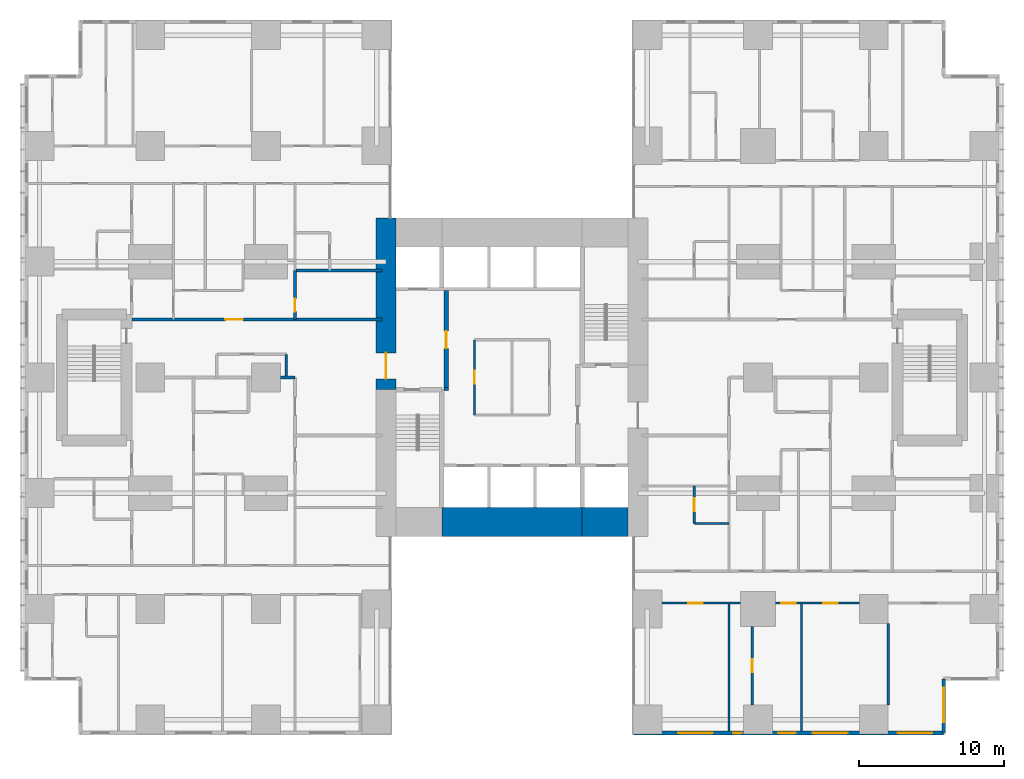
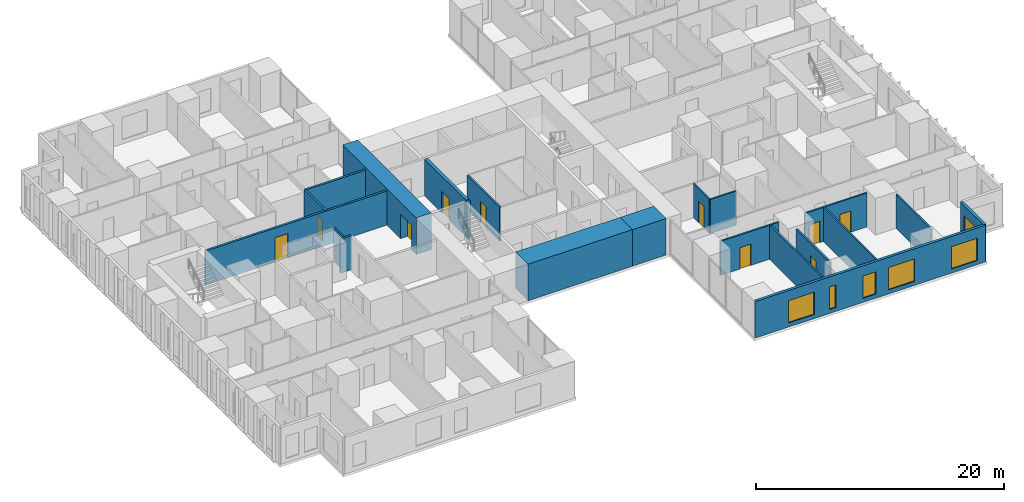
# One storey, part 14 of 20: 21 walls, 10 doors, 6 windows, 16 openings.
"""IFC4 building model written with IfcOpenShell, lengths in metres."""

from ifc_helpers import new_model, si_unit, direction, frame, frame_2d, origin, place, context, subcontext, project, spatial, rectangle, extrude, material, layer, layer_set, type_object, element, fill, save


model = new_model("IFC4")

# Units and contexts
model_context = context("Model", 3, precision=1e-05, world=origin(), true_north=direction((0.0, 1.0)))
body_context = subcontext(model_context, "Body", "Model", "MODEL_VIEW")
ifc_project = project(units=[si_unit("LENGTHUNIT", "METRE"), si_unit("AREAUNIT", "SQUARE_METRE"), si_unit("VOLUMEUNIT", "CUBIC_METRE"), si_unit("PLANEANGLEUNIT", "RADIAN"), si_unit("MASSUNIT", "GRAM", prefix="KILO")], contexts=[model_context])

# Site, building, storey
site_placement = place(None, origin())
site = spatial("IfcSite", under=ifc_project, at=site_placement, CompositionType="ELEMENT")
building_placement = place(site_placement, origin())
building = spatial("IfcBuilding", under=site, at=building_placement, Name="Cleftline Residences", CompositionType="ELEMENT")
storey_placement = place(building_placement, frame((0.0, 0.0, 143.0)))
storey = spatial("IfcBuildingStorey", under=building, at=storey_placement, Name="L37", CompositionType="ELEMENT", Elevation=143.0)

# Wall, opening, door
ifc_material_1 = material(Name="Concrete B70", Category="concrete")
ifc_layer_1 = layer(ifc_material_1, 1.39990234375)
ifc_layer_set_1 = layer_set([ifc_layer_1], Name="CORE WALL 1400")
wall_type_1 = type_object("IfcWallType", Name="CORE WALL 1400", PredefinedType="SHEAR", material=ifc_layer_set_1)
wall_1_placement = place(storey_placement, frame((24.300048828125, 23.14990234375, 0.0), z_axis=(0.0, 0.0, 1.0), x_axis=(0.0, 1.0, 0.0)))
wall_1 = element("IfcWall", 1, at=wall_1_placement, inside=storey, type_object=wall_type_1, Name="Core wall W", PredefinedType="SHEAR", context=body_context, shape_type="SweptSolid", body=[
    extrude(rectangle(XDim=11.85009765625, YDim=1.39990234375, at=frame_2d((5.925048828125, 0.0))), origin(), (0.0, 0.0, 1.0), 3.60009765625),
])
opening_1_placement = place(wall_1_placement, frame((0.75, 0.0, 0.0)))
opening_1 = element("IfcOpeningElement", 2, at=opening_1_placement, cuts=wall_1, Name="Opening D7", PredefinedType="OPENING", context=body_context, shape_type="SweptSolid", body=[
    extrude(rectangle(XDim=1.800048828125, YDim=2.39990234375, at=frame_2d((0.89990234375, 1.199951171875))), frame((0.0, 0.7099609375, 0.0), z_axis=(0.0, -1.0, 0.0), x_axis=(1.0, 0.0, 0.0)), (0.0, 0.0, 1.0), 1.419921875),
])
ifc_material_2 = material(Name="Steel", Category="steel")
door_type_1 = type_object("IfcDoorType", Name="WING DOOR 1800X2400", OperationType="DOUBLE_DOOR_DOUBLE_SWING", PredefinedType="DOOR", material=ifc_material_2)
door_1_placement = place(opening_1_placement, origin())
door_1 = element("IfcDoor", 3, at=door_1_placement, inside=storey, type_object=door_type_1, Name="West wing door", OperationType="DOUBLE_DOOR_DOUBLE_SWING", OverallHeight=2.39990234375, OverallWidth=1.800048828125, PredefinedType="DOOR", context=body_context, shape_type="SweptSolid", body=[
    extrude(rectangle(XDim=1.800048828125, YDim=2.39990234375, at=frame_2d((0.89990234375, 1.199951171875))), frame((0.0, 0.02490234375, 0.0), z_axis=(0.0, -1.0, 0.0), x_axis=(1.0, 0.0, 0.0)), (0.0, 0.0, 1.0), 0.050048828125),
])
fill(opening_1, door_1)

# Walls
ifc_material_3 = material(Name="Concrete B70", Category="concrete")
ifc_layer_2 = layer(ifc_material_3, 2.0)
ifc_layer_set_2 = layer_set([ifc_layer_2], Name="CORE WALL 2000")
wall_type_2 = type_object("IfcWallType", Name="CORE WALL 2000", PredefinedType="SHEAR", material=ifc_layer_set_2)
wall_2_placement = place(storey_placement, frame((28.14990234375, 14.0, 0.0), z_axis=(0.0, 0.0, 1.0), x_axis=(1.0, 0.0, 0.0)))
element("IfcWall", 4, at=wall_2_placement, inside=storey, type_object=wall_type_2, Name="Core wall S2", PredefinedType="SHEAR", context=body_context, shape_type="SweptSolid", body=[
    extrude(rectangle(XDim=9.7001953125, YDim=2.0, at=frame_2d((4.85009765625, 0.0))), origin(), (0.0, 0.0, 1.0), 3.60009765625),
])
wall_3_placement = place(storey_placement, frame((37.85009765625, 14.0, 0.0), z_axis=(0.0, 0.0, 1.0), x_axis=(1.0, 0.0, 0.0)))
element("IfcWall", 5, at=wall_3_placement, inside=storey, type_object=wall_type_2, Name="Core wall S3", PredefinedType="SHEAR", context=body_context, shape_type="SweptSolid", body=[
    extrude(rectangle(XDim=3.14990234375, YDim=2.0, at=frame_2d((1.574951171875, 0.0))), origin(), (0.0, 0.0, 1.0), 3.60009765625),
])

# Wall, openings, windows
ifc_material_4 = material(Name="Rendered reinforced concrete blockwork", Category="masonry")
ifc_layer_3 = layer(ifc_material_4, 0.25)
ifc_layer_set_3 = layer_set([ifc_layer_3], Name="EXTERNAL WALL 250")
wall_type_3 = type_object("IfcWallType", Name="EXTERNAL WALL 250", PredefinedType="SOLIDWALL", material=ifc_layer_set_3)
wall_4_placement = place(storey_placement, frame((41.425048828125, -0.574951171875, 0.0), z_axis=(0.0, 0.0, 1.0), x_axis=(1.0, 0.0, 0.0)))
wall_4 = element("IfcWall", 6, at=wall_4_placement, inside=storey, type_object=wall_type_3, Name="External wall", PredefinedType="SOLIDWALL", context=body_context, shape_type="SweptSolid", body=[
    extrude(rectangle(XDim=21.39990234375, YDim=0.25, at=frame_2d((10.699951171875, 0.0))), origin(), (0.0, 0.0, 1.0), 3.60009765625),
])
opening_2_placement = place(wall_4_placement, frame((3.050048828125, 0.0, 0.39990234375)))
opening_2 = element("IfcOpeningElement", 7, at=opening_2_placement, cuts=wall_4, Name="Opening W12", PredefinedType="OPENING", context=body_context, shape_type="SweptSolid", body=[
    extrude(rectangle(XDim=2.39990234375, YDim=2.199951171875, at=frame_2d((1.199951171875, 1.10009765625))), frame((0.0, 0.135009765625, 0.0), z_axis=(0.0, -1.0, 0.0), x_axis=(1.0, 0.0, 0.0)), (0.0, 0.0, 1.0), 0.27001953125),
])
opening_3_placement = place(wall_4_placement, frame((6.85009765625, 0.0, 0.39990234375)))
opening_3 = element("IfcOpeningElement", 8, at=opening_3_placement, cuts=wall_4, Name="Opening W10", PredefinedType="OPENING", context=body_context, shape_type="SweptSolid", body=[
    extrude(rectangle(XDim=0.60009765625, YDim=2.199951171875, at=frame_2d((0.300048828125, 1.10009765625))), frame((0.0, 0.135009765625, 0.0), z_axis=(0.0, -1.0, 0.0), x_axis=(1.0, 0.0, 0.0)), (0.0, 0.0, 1.0), 0.27001953125),
])
opening_4_placement = place(wall_4_placement, frame((9.97509765625, 0.0, 0.39990234375)))
opening_4 = element("IfcOpeningElement", 9, at=opening_4_placement, cuts=wall_4, Name="Opening W11", PredefinedType="OPENING", context=body_context, shape_type="SweptSolid", body=[
    extrude(rectangle(XDim=1.199951171875, YDim=2.199951171875, at=frame_2d((0.60009765625, 1.10009765625))), frame((0.0, 0.135009765625, 0.0), z_axis=(0.0, -1.0, 0.0), x_axis=(1.0, 0.0, 0.0)), (0.0, 0.0, 1.0), 0.27001953125),
])
opening_5_placement = place(wall_4_placement, frame((12.375, 0.0, 0.39990234375)))
opening_5 = element("IfcOpeningElement", 10, at=opening_5_placement, cuts=wall_4, Name="Opening W12", PredefinedType="OPENING", context=body_context, shape_type="SweptSolid", body=[
    extrude(rectangle(XDim=2.39990234375, YDim=2.199951171875, at=frame_2d((1.199951171875, 1.10009765625))), frame((0.0, 0.135009765625, 0.0), z_axis=(0.0, -1.0, 0.0), x_axis=(1.0, 0.0, 0.0)), (0.0, 0.0, 1.0), 0.27001953125),
])
opening_6_placement = place(wall_4_placement, frame((18.22509765625, 0.0, 0.39990234375)))
opening_6 = element("IfcOpeningElement", 11, at=opening_6_placement, cuts=wall_4, Name="Opening W12", PredefinedType="OPENING", context=body_context, shape_type="SweptSolid", body=[
    extrude(rectangle(XDim=2.39990234375, YDim=2.199951171875, at=frame_2d((1.199951171875, 1.10009765625))), frame((0.0, 0.135009765625, 0.0), z_axis=(0.0, -1.0, 0.0), x_axis=(1.0, 0.0, 0.0)), (0.0, 0.0, 1.0), 0.27001953125),
])
ifc_material_5 = material(Name="Aluminium frame, clear double glazing", Category="aluminium")
window_type_1 = type_object("IfcWindowType", Name="WINDOW 1200X2200", PartitioningType="DOUBLE_PANEL_VERTICAL", PredefinedType="WINDOW", material=ifc_material_5)
window_1_placement = place(opening_4_placement, origin())
window_1 = element("IfcWindow", 12, at=window_1_placement, inside=storey, type_object=window_type_1, Name="Window", OverallHeight=2.199951171875, OverallWidth=1.199951171875, PartitioningType="SINGLE_PANEL", PredefinedType="WINDOW", context=body_context, shape_type="SweptSolid", body=[
    extrude(rectangle(XDim=1.199951171875, YDim=2.199951171875, at=frame_2d((0.60009765625, 1.10009765625))), frame((0.0, 0.030029296875, 0.0), z_axis=(0.0, -1.0, 0.0), x_axis=(1.0, 0.0, 0.0)), (0.0, 0.0, 1.0), 0.06005859375),
])
fill(opening_4, window_1)
ifc_material_6 = material(Name="Aluminium frame, clear double glazing", Category="aluminium")
window_type_2 = type_object("IfcWindowType", Name="WINDOW 2400X2200", PartitioningType="DOUBLE_PANEL_VERTICAL", PredefinedType="WINDOW", material=ifc_material_6)
window_2_placement = place(opening_2_placement, origin())
window_2 = element("IfcWindow", 13, at=window_2_placement, inside=storey, type_object=window_type_2, Name="Window", OverallHeight=2.199951171875, OverallWidth=2.39990234375, PartitioningType="SINGLE_PANEL", PredefinedType="WINDOW", context=body_context, shape_type="SweptSolid", body=[
    extrude(rectangle(XDim=2.39990234375, YDim=2.199951171875, at=frame_2d((1.199951171875, 1.10009765625))), frame((0.0, 0.030029296875, 0.0), z_axis=(0.0, -1.0, 0.0), x_axis=(1.0, 0.0, 0.0)), (0.0, 0.0, 1.0), 0.06005859375),
])
fill(opening_2, window_2)
window_3_placement = place(opening_5_placement, origin())
window_3 = element("IfcWindow", 14, at=window_3_placement, inside=storey, type_object=window_type_2, Name="Window", OverallHeight=2.199951171875, OverallWidth=2.39990234375, PartitioningType="SINGLE_PANEL", PredefinedType="WINDOW", context=body_context, shape_type="SweptSolid", body=[
    extrude(rectangle(XDim=2.39990234375, YDim=2.199951171875, at=frame_2d((1.199951171875, 1.10009765625))), frame((0.0, 0.030029296875, 0.0), z_axis=(0.0, -1.0, 0.0), x_axis=(1.0, 0.0, 0.0)), (0.0, 0.0, 1.0), 0.06005859375),
])
fill(opening_5, window_3)
window_4_placement = place(opening_6_placement, origin())
window_4 = element("IfcWindow", 15, at=window_4_placement, inside=storey, type_object=window_type_2, Name="Window", OverallHeight=2.199951171875, OverallWidth=2.39990234375, PartitioningType="SINGLE_PANEL", PredefinedType="WINDOW", context=body_context, shape_type="SweptSolid", body=[
    extrude(rectangle(XDim=2.39990234375, YDim=2.199951171875, at=frame_2d((1.199951171875, 1.10009765625))), frame((0.0, 0.030029296875, 0.0), z_axis=(0.0, -1.0, 0.0), x_axis=(1.0, 0.0, 0.0)), (0.0, 0.0, 1.0), 0.06005859375),
])
fill(opening_6, window_4)
ifc_material_7 = material(Name="Aluminium frame, clear double glazing", Category="aluminium")
window_type_3 = type_object("IfcWindowType", Name="WINDOW 600X2200", PartitioningType="DOUBLE_PANEL_VERTICAL", PredefinedType="WINDOW", material=ifc_material_7)
window_5_placement = place(opening_3_placement, origin())
window_5 = element("IfcWindow", 16, at=window_5_placement, inside=storey, type_object=window_type_3, Name="Window", OverallHeight=2.199951171875, OverallWidth=0.60009765625, PartitioningType="SINGLE_PANEL", PredefinedType="WINDOW", context=body_context, shape_type="SweptSolid", body=[
    extrude(rectangle(XDim=0.60009765625, YDim=2.199951171875, at=frame_2d((0.300048828125, 1.10009765625))), frame((0.0, 0.030029296875, 0.0), z_axis=(0.0, -1.0, 0.0), x_axis=(1.0, 0.0, 0.0)), (0.0, 0.0, 1.0), 0.06005859375),
])
fill(opening_3, window_5)

# Wall, opening, window
wall_5_placement = place(storey_placement, frame((62.824951171875, -0.574951171875, 0.0), z_axis=(0.0, 0.0, 1.0), x_axis=(0.0, 1.0, 0.0)))
wall_5 = element("IfcWall", 17, at=wall_5_placement, inside=storey, type_object=wall_type_3, Name="External wall", PredefinedType="SOLIDWALL", context=body_context, shape_type="SweptSolid", body=[
    extrude(rectangle(XDim=3.75, YDim=0.25, at=frame_2d((1.875, 0.0))), origin(), (0.0, 0.0, 1.0), 3.60009765625),
])
opening_7_placement = place(wall_5_placement, frame((0.737548828125, 0.0, 0.39990234375)))
opening_7 = element("IfcOpeningElement", 18, at=opening_7_placement, cuts=wall_5, Name="Opening W12", PredefinedType="OPENING", context=body_context, shape_type="SweptSolid", body=[
    extrude(rectangle(XDim=2.39990234375, YDim=2.199951171875, at=frame_2d((1.199951171875, 1.10009765625))), frame((0.0, 0.135009765625, 0.0), z_axis=(0.0, -1.0, 0.0), x_axis=(1.0, 0.0, 0.0)), (0.0, 0.0, 1.0), 0.27001953125),
])
window_6_placement = place(opening_7_placement, origin())
window_6 = element("IfcWindow", 19, at=window_6_placement, inside=storey, type_object=window_type_2, Name="Window", OverallHeight=2.199951171875, OverallWidth=2.39990234375, PartitioningType="SINGLE_PANEL", PredefinedType="WINDOW", context=body_context, shape_type="SweptSolid", body=[
    extrude(rectangle(XDim=2.39990234375, YDim=2.199951171875, at=frame_2d((1.199951171875, 1.10009765625))), frame((0.0, 0.030029296875, 0.0), z_axis=(0.0, -1.0, 0.0), x_axis=(1.0, 0.0, 0.0)), (0.0, 0.0, 1.0), 0.06005859375),
])
fill(opening_7, window_6)

# Wall
ifc_material_8 = material(Name="Concrete blockwork, fire rated", Category="masonry")
ifc_layer_4 = layer(ifc_material_8, 0.199951171875)
ifc_layer_set_4 = layer_set([ifc_layer_4], Name="FIRE WALL 200")
wall_type_4 = type_object("IfcWallType", Name="FIRE WALL 200", PredefinedType="PARTITIONING", material=ifc_layer_set_4)
wall_6_placement = place(storey_placement, frame((17.0, 24.0, 0.0), z_axis=(0.0, 0.0, 1.0), x_axis=(1.0, 0.0, 0.0)))
element("IfcWall", 20, at=wall_6_placement, inside=storey, type_object=wall_type_4, Name="Fire separating wall", PredefinedType="PARTITIONING", context=body_context, shape_type="SweptSolid", body=[
    extrude(rectangle(XDim=1.0, YDim=0.199951171875, at=frame_2d((0.5, 0.0))), origin(), (0.0, 0.0, 1.0), 3.35009765625),
])

# Wall, opening, door
wall_7_placement = place(storey_placement, frame((6.72509765625, 28.0, 0.0), z_axis=(0.0, 0.0, 1.0), x_axis=(1.0, 0.0, 0.0)))
wall_7 = element("IfcWall", 21, at=wall_7_placement, inside=storey, type_object=wall_type_4, Name="Fire separating wall", PredefinedType="PARTITIONING", context=body_context, shape_type="SweptSolid", body=[
    extrude(rectangle(XDim=17.27490234375, YDim=0.199951171875, at=frame_2d((8.637451171875, 0.0))), origin(), (0.0, 0.0, 1.0), 3.35009765625),
])
opening_8_placement = place(wall_7_placement, frame((6.47509765625, 0.0, 0.0)))
opening_8 = element("IfcOpeningElement", 22, at=opening_8_placement, cuts=wall_7, Name="Opening D4", PredefinedType="OPENING", context=body_context, shape_type="SweptSolid", body=[
    extrude(rectangle(XDim=1.199951171875, YDim=2.39990234375, at=frame_2d((0.60009765625, 1.199951171875))), frame((0.0, 0.10986328125, 0.0), z_axis=(0.0, -1.0, 0.0), x_axis=(1.0, 0.0, 0.0)), (0.0, 0.0, 1.0), 0.219970703125),
])
ifc_material_9 = material(Name="Timber veneer on solid core", Category="wood")
door_type_2 = type_object("IfcDoorType", Name="APARTMENT ENTRANCE DOOR 1200X2400", OperationType="SINGLE_SWING_RIGHT", PredefinedType="DOOR", material=ifc_material_9)
door_2_placement = place(opening_8_placement, origin())
door_2 = element("IfcDoor", 23, at=door_2_placement, inside=storey, type_object=door_type_2, Name="Door to residence entrance foyer", OperationType="SINGLE_SWING_RIGHT", OverallHeight=2.39990234375, OverallWidth=1.199951171875, PredefinedType="DOOR", context=body_context, shape_type="SweptSolid", body=[
    extrude(rectangle(XDim=1.199951171875, YDim=2.39990234375, at=frame_2d((0.60009765625, 1.199951171875))), frame((0.0, 0.02490234375, 0.0), z_axis=(0.0, -1.0, 0.0), x_axis=(1.0, 0.0, 0.0)), (0.0, 0.0, 1.0), 0.050048828125),
])
fill(opening_8, door_2)

# Wall
wall_8_placement = place(storey_placement, frame((18.0, 31.39990234375, 0.0), z_axis=(0.0, 0.0, 1.0), x_axis=(1.0, 0.0, 0.0)))
element("IfcWall", 24, at=wall_8_placement, inside=storey, type_object=wall_type_4, Name="Fire separating wall", PredefinedType="PARTITIONING", context=body_context, shape_type="SweptSolid", body=[
    extrude(rectangle(XDim=6.0, YDim=0.199951171875, at=frame_2d((3.0, 0.0))), origin(), (0.0, 0.0, 1.0), 3.35009765625),
])

# Wall, opening, door
wall_9_placement = place(storey_placement, frame((18.0, 28.0, 0.0), z_axis=(0.0, 0.0, 1.0), x_axis=(0.0, 1.0, 0.0)))
wall_9 = element("IfcWall", 25, at=wall_9_placement, inside=storey, type_object=wall_type_4, Name="Fire separating wall", PredefinedType="PARTITIONING", context=body_context, shape_type="SweptSolid", body=[
    extrude(rectangle(XDim=3.39990234375, YDim=0.199951171875, at=frame_2d((1.699951171875, 0.0))), origin(), (0.0, 0.0, 1.0), 3.35009765625),
])
opening_9_placement = place(wall_9_placement, frame((0.550048828125, 0.0, 0.0)))
opening_9 = element("IfcOpeningElement", 26, at=opening_9_placement, cuts=wall_9, Name="Opening D1F30", PredefinedType="OPENING", context=body_context, shape_type="SweptSolid", body=[
    extrude(rectangle(XDim=0.89990234375, YDim=2.10009765625, at=frame_2d((0.449951171875, 1.050048828125))), frame((0.0, 0.10986328125, 0.0), z_axis=(0.0, -1.0, 0.0), x_axis=(1.0, 0.0, 0.0)), (0.0, 0.0, 1.0), 0.219970703125),
])
ifc_material_10 = material(Name="Timber veneer on solid core", Category="wood")
door_type_3 = type_object("IfcDoorType", Name="DOOR 900X2100 EI 30", OperationType="SINGLE_SWING_LEFT", PredefinedType="DOOR", material=ifc_material_10)
door_3_placement = place(opening_9_placement, origin())
door_3 = element("IfcDoor", 27, at=door_3_placement, inside=storey, type_object=door_type_3, Name="Door to drying loggia and wc", OperationType="SINGLE_SWING_RIGHT", OverallHeight=2.10009765625, OverallWidth=0.89990234375, PredefinedType="DOOR", context=body_context, shape_type="SweptSolid", body=[
    extrude(rectangle(XDim=0.89990234375, YDim=2.10009765625, at=frame_2d((0.449951171875, 1.050048828125))), frame((0.0, 0.02490234375, 0.0), z_axis=(0.0, -1.0, 0.0), x_axis=(1.0, 0.0, 0.0)), (0.0, 0.0, 1.0), 0.050048828125),
])
fill(opening_9, door_3)

# Wall
wall_10_placement = place(storey_placement, frame((28.300048828125, 23.199951171875, 0.0), z_axis=(0.0, 0.0, 1.0), x_axis=(1.0, 0.0, 0.0)))
element("IfcWall", 28, at=wall_10_placement, inside=storey, type_object=wall_type_4, Name="Fire separating wall", PredefinedType="PARTITIONING", context=body_context, shape_type="SweptSolid", body=[
    extrude(rectangle(XDim=0.300048828125, YDim=0.199951171875, at=frame_2d((0.14990234375, 0.0))), origin(), (0.0, 0.0, 1.0), 3.60009765625),
])

# Wall, opening, door
ifc_material_11 = material(Name="Gypsum board on steel studs", Category="steel")
ifc_layer_5 = layer(ifc_material_11, 0.14990234375)
ifc_layer_set_5 = layer_set([ifc_layer_5], Name="PARTITION 150")
wall_type_5 = type_object("IfcWallType", Name="PARTITION 150", PredefinedType="PARTITIONING", material=ifc_layer_set_5)
wall_11_placement = place(storey_placement, frame((43.35009765625, 8.39990234375, 0.0), z_axis=(0.0, 0.0, 1.0), x_axis=(1.0, 0.0, 0.0)))
wall_11 = element("IfcWall", 29, at=wall_11_placement, inside=storey, type_object=wall_type_5, Name="Partition", PredefinedType="PARTITIONING", context=body_context, shape_type="SweptSolid", body=[
    extrude(rectangle(XDim=5.449951171875, YDim=0.14990234375, at=frame_2d((2.72509765625, 0.0))), origin(), (0.0, 0.0, 1.0), 3.35009765625),
])
opening_10_placement = place(wall_11_placement, frame((1.824951171875, 0.0, 0.0)))
opening_10 = element("IfcOpeningElement", 30, at=opening_10_placement, cuts=wall_11, Name="Opening D2", PredefinedType="OPENING", context=body_context, shape_type="SweptSolid", body=[
    extrude(rectangle(XDim=1.0, YDim=2.10009765625, at=frame_2d((0.5, 1.050048828125))), frame((0.0, 0.0849609375, 0.0), z_axis=(0.0, -1.0, 0.0), x_axis=(1.0, 0.0, 0.0)), (0.0, 0.0, 1.0), 0.169921875),
])
ifc_material_12 = material(Name="Timber veneer on solid core", Category="wood")
door_type_4 = type_object("IfcDoorType", Name="DOOR 1000X2100", OperationType="SINGLE_SWING_LEFT", PredefinedType="DOOR", material=ifc_material_12)
door_4_placement = place(opening_10_placement, origin())
door_4 = element("IfcDoor", 31, at=door_4_placement, inside=storey, type_object=door_type_4, Name="Door to breakfast room", OperationType="SINGLE_SWING_RIGHT", OverallHeight=2.10009765625, OverallWidth=1.0, PredefinedType="DOOR", context=body_context, shape_type="SweptSolid", body=[
    extrude(rectangle(XDim=1.0, YDim=2.10009765625, at=frame_2d((0.5, 1.050048828125))), frame((0.0, 0.02490234375, 0.0), z_axis=(0.0, -1.0, 0.0), x_axis=(1.0, 0.0, 0.0)), (0.0, 0.0, 1.0), 0.050048828125),
])
fill(opening_10, door_4)

# Wall, openings, doors
wall_12_placement = place(storey_placement, frame((51.199951171875, 8.39990234375, 0.0), z_axis=(0.0, 0.0, 1.0), x_axis=(1.0, 0.0, 0.0)))
wall_12 = element("IfcWall", 32, at=wall_12_placement, inside=storey, type_object=wall_type_5, Name="Partition", PredefinedType="PARTITIONING", context=body_context, shape_type="SweptSolid", body=[
    extrude(rectangle(XDim=5.800048828125, YDim=0.14990234375, at=frame_2d((2.89990234375, 0.0))), origin(), (0.0, 0.0, 1.0), 3.35009765625),
])
opening_11_placement = place(wall_12_placement, frame((3.300048828125, 0.0, 0.0)))
opening_11 = element("IfcOpeningElement", 33, at=opening_11_placement, cuts=wall_12, Name="Opening D2", PredefinedType="OPENING", context=body_context, shape_type="SweptSolid", body=[
    extrude(rectangle(XDim=1.0, YDim=2.10009765625, at=frame_2d((0.5, 1.050048828125))), frame((0.0, 0.0849609375, 0.0), z_axis=(0.0, -1.0, 0.0), x_axis=(1.0, 0.0, 0.0)), (0.0, 0.0, 1.0), 0.169921875),
])
opening_12_placement = place(wall_12_placement, frame((0.39990234375, 0.0, 0.0)))
opening_12 = element("IfcOpeningElement", 34, at=opening_12_placement, cuts=wall_12, Name="Opening D2", PredefinedType="OPENING", context=body_context, shape_type="SweptSolid", body=[
    extrude(rectangle(XDim=1.0, YDim=2.10009765625, at=frame_2d((0.5, 1.050048828125))), frame((0.0, 0.0849609375, 0.0), z_axis=(0.0, -1.0, 0.0), x_axis=(1.0, 0.0, 0.0)), (0.0, 0.0, 1.0), 0.169921875),
])
door_5_placement = place(opening_11_placement, origin())
door_5 = element("IfcDoor", 35, at=door_5_placement, inside=storey, type_object=door_type_4, Name="Door to dining room", OperationType="SINGLE_SWING_LEFT", OverallHeight=2.10009765625, OverallWidth=1.0, PredefinedType="DOOR", context=body_context, shape_type="SweptSolid", body=[
    extrude(rectangle(XDim=1.0, YDim=2.10009765625, at=frame_2d((0.5, 1.050048828125))), frame((0.0, 0.02490234375, 0.0), z_axis=(0.0, -1.0, 0.0), x_axis=(1.0, 0.0, 0.0)), (0.0, 0.0, 1.0), 0.050048828125),
])
fill(opening_11, door_5)
door_6_placement = place(opening_12_placement, origin())
door_6 = element("IfcDoor", 36, at=door_6_placement, inside=storey, type_object=door_type_4, Name="Door to show kitchen", OperationType="SINGLE_SWING_RIGHT", OverallHeight=2.10009765625, OverallWidth=1.0, PredefinedType="DOOR", context=body_context, shape_type="SweptSolid", body=[
    extrude(rectangle(XDim=1.0, YDim=2.10009765625, at=frame_2d((0.5, 1.050048828125))), frame((0.0, 0.02490234375, 0.0), z_axis=(0.0, -1.0, 0.0), x_axis=(1.0, 0.0, 0.0)), (0.0, 0.0, 1.0), 0.050048828125),
])
fill(opening_12, door_6)

# Walls
wall_13_placement = place(storey_placement, frame((45.60009765625, 13.89990234375, 0.0), z_axis=(0.0, 0.0, 1.0), x_axis=(1.0, 0.0, 0.0)))
element("IfcWall", 37, at=wall_13_placement, inside=storey, type_object=wall_type_5, Name="Partition", PredefinedType="PARTITIONING", context=body_context, shape_type="SweptSolid", body=[
    extrude(rectangle(XDim=2.39990234375, YDim=0.14990234375, at=frame_2d((1.199951171875, 0.0))), origin(), (0.0, 0.0, 1.0), 3.35009765625),
])
wall_14_placement = place(storey_placement, frame((17.39990234375, 24.0, 0.0), z_axis=(0.0, 0.0, 1.0), x_axis=(0.0, 1.0, 0.0)))
element("IfcWall", 38, at=wall_14_placement, inside=storey, type_object=wall_type_5, Name="Partition", PredefinedType="PARTITIONING", context=body_context, shape_type="SweptSolid", body=[
    extrude(rectangle(XDim=1.60009765625, YDim=0.14990234375, at=frame_2d((0.800048828125, 0.0))), origin(), (0.0, 0.0, 1.0), 3.35009765625),
])

# Wall, opening, door
wall_15_placement = place(storey_placement, frame((45.60009765625, 13.89990234375, 0.0), z_axis=(0.0, 0.0, 1.0), x_axis=(0.0, 1.0, 0.0)))
wall_15 = element("IfcWall", 39, at=wall_15_placement, inside=storey, type_object=wall_type_5, Name="Partition", PredefinedType="PARTITIONING", context=body_context, shape_type="SweptSolid", body=[
    extrude(rectangle(XDim=2.60009765625, YDim=0.14990234375, at=frame_2d((1.300048828125, 0.0))), origin(), (0.0, 0.0, 1.0), 3.35009765625),
])
opening_13_placement = place(wall_15_placement, frame((0.85009765625, 0.0, 0.0)))
opening_13 = element("IfcOpeningElement", 40, at=opening_13_placement, cuts=wall_15, Name="Opening D1", PredefinedType="OPENING", context=body_context, shape_type="SweptSolid", body=[
    extrude(rectangle(XDim=0.89990234375, YDim=2.10009765625, at=frame_2d((0.449951171875, 1.050048828125))), frame((0.0, 0.0849609375, 0.0), z_axis=(0.0, -1.0, 0.0), x_axis=(1.0, 0.0, 0.0)), (0.0, 0.0, 1.0), 0.169921875),
])
ifc_material_13 = material(Name="Timber veneer on solid core", Category="wood")
door_type_5 = type_object("IfcDoorType", Name="DOOR 900X2100", OperationType="SINGLE_SWING_LEFT", PredefinedType="DOOR", material=ifc_material_13)
door_7_placement = place(opening_13_placement, origin())
door_7 = element("IfcDoor", 41, at=door_7_placement, inside=storey, type_object=door_type_5, Name="Door to staff shower room", OperationType="SINGLE_SWING_LEFT", OverallHeight=2.10009765625, OverallWidth=0.89990234375, PredefinedType="DOOR", context=body_context, shape_type="SweptSolid", body=[
    extrude(rectangle(XDim=0.89990234375, YDim=2.10009765625, at=frame_2d((0.449951171875, 1.050048828125))), frame((0.0, 0.02490234375, 0.0), z_axis=(0.0, -1.0, 0.0), x_axis=(1.0, 0.0, 0.0)), (0.0, 0.0, 1.0), 0.050048828125),
])
fill(opening_13, door_7)

# Wall
wall_16_placement = place(storey_placement, frame((48.0, -0.449951171875, 0.0), z_axis=(0.0, 0.0, 1.0), x_axis=(0.0, 1.0, 0.0)))
element("IfcWall", 42, at=wall_16_placement, inside=storey, type_object=wall_type_5, Name="Partition", PredefinedType="PARTITIONING", context=body_context, shape_type="SweptSolid", body=[
    extrude(rectangle(XDim=8.849853515625, YDim=0.14990234375, at=frame_2d((4.4248046875, 0.0))), origin(), (0.0, 0.0, 1.0), 3.35009765625),
])

# Wall, opening, door
wall_17_placement = place(storey_placement, frame((49.60009765625, 1.35009765625, 0.0), z_axis=(0.0, 0.0, 1.0), x_axis=(0.0, 1.0, 0.0)))
wall_17 = element("IfcWall", 43, at=wall_17_placement, inside=storey, type_object=wall_type_5, Name="Partition", PredefinedType="PARTITIONING", context=body_context, shape_type="SweptSolid", body=[
    extrude(rectangle(XDim=5.449951171875, YDim=0.14990234375, at=frame_2d((2.72509765625, 0.0))), origin(), (0.0, 0.0, 1.0), 3.35009765625),
])
opening_14_placement = place(wall_17_placement, frame((2.27490234375, 0.0, 0.0)))
opening_14 = element("IfcOpeningElement", 44, at=opening_14_placement, cuts=wall_17, Name="Opening D1", PredefinedType="OPENING", context=body_context, shape_type="SweptSolid", body=[
    extrude(rectangle(XDim=0.89990234375, YDim=2.10009765625, at=frame_2d((0.449951171875, 1.050048828125))), frame((0.0, 0.0849609375, 0.0), z_axis=(0.0, -1.0, 0.0), x_axis=(1.0, 0.0, 0.0)), (0.0, 0.0, 1.0), 0.169921875),
])
door_8_placement = place(opening_14_placement, origin())
door_8 = element("IfcDoor", 45, at=door_8_placement, inside=storey, type_object=door_type_5, Name="Door to larder", OperationType="SINGLE_SWING_LEFT", OverallHeight=2.10009765625, OverallWidth=0.89990234375, PredefinedType="DOOR", context=body_context, shape_type="SweptSolid", body=[
    extrude(rectangle(XDim=0.89990234375, YDim=2.10009765625, at=frame_2d((0.449951171875, 1.050048828125))), frame((0.0, 0.02490234375, 0.0), z_axis=(0.0, -1.0, 0.0), x_axis=(1.0, 0.0, 0.0)), (0.0, 0.0, 1.0), 0.050048828125),
])
fill(opening_14, door_8)

# Walls
wall_18_placement = place(storey_placement, frame((53.0, -0.449951171875, 0.0), z_axis=(0.0, 0.0, 1.0), x_axis=(0.0, 1.0, 0.0)))
element("IfcWall", 46, at=wall_18_placement, inside=storey, type_object=wall_type_5, Name="Partition", PredefinedType="PARTITIONING", context=body_context, shape_type="SweptSolid", body=[
    extrude(rectangle(XDim=8.849853515625, YDim=0.14990234375, at=frame_2d((4.4248046875, 0.0))), origin(), (0.0, 0.0, 1.0), 3.35009765625),
])
wall_19_placement = place(storey_placement, frame((59.0, 1.35009765625, 0.0), z_axis=(0.0, 0.0, 1.0), x_axis=(0.0, 1.0, 0.0)))
element("IfcWall", 47, at=wall_19_placement, inside=storey, type_object=wall_type_5, Name="Partition", PredefinedType="PARTITIONING", context=body_context, shape_type="SweptSolid", body=[
    extrude(rectangle(XDim=5.64990234375, YDim=0.14990234375, at=frame_2d((2.824951171875, 0.0))), origin(), (0.0, 0.0, 1.0), 3.35009765625),
])

# Wall, opening, door
ifc_material_14 = material(Name="Fire-resisting gypsum board on steel studs", Category="steel")
ifc_layer_6 = layer(ifc_material_14, 0.14990234375)
ifc_layer_set_6 = layer_set([ifc_layer_6], Name="PARTITION 150 EI 60")
wall_type_6 = type_object("IfcWallType", Name="PARTITION 150 EI 60", PredefinedType="PARTITIONING", material=ifc_layer_set_6)
wall_20_placement = place(storey_placement, frame((30.39990234375, 21.39990234375, 0.0), z_axis=(0.0, 0.0, 1.0), x_axis=(0.0, 1.0, 0.0)))
wall_20 = element("IfcWall", 48, at=wall_20_placement, inside=storey, type_object=wall_type_6, Name="Core room partition", PredefinedType="PARTITIONING", context=body_context, shape_type="SweptSolid", body=[
    extrude(rectangle(XDim=5.2001953125, YDim=0.14990234375, at=frame_2d((2.60009765625, 0.0))), origin(), (0.0, 0.0, 1.0), 3.35009765625),
])
opening_15_placement = place(wall_20_placement, frame((2.14990234375, 0.0, 0.0)))
opening_15 = element("IfcOpeningElement", 49, at=opening_15_placement, cuts=wall_20, Name="Opening D1F30", PredefinedType="OPENING", context=body_context, shape_type="SweptSolid", body=[
    extrude(rectangle(XDim=0.89990234375, YDim=2.10009765625, at=frame_2d((0.449951171875, 1.050048828125))), frame((0.0, 0.0849609375, 0.0), z_axis=(0.0, -1.0, 0.0), x_axis=(1.0, 0.0, 0.0)), (0.0, 0.0, 1.0), 0.169921875),
])
door_9_placement = place(opening_15_placement, origin())
door_9 = element("IfcDoor", 50, at=door_9_placement, inside=storey, type_object=door_type_3, Name="Door to guest pantry", OperationType="SINGLE_SWING_LEFT", OverallHeight=2.10009765625, OverallWidth=0.89990234375, PredefinedType="DOOR", context=body_context, shape_type="SweptSolid", body=[
    extrude(rectangle(XDim=0.89990234375, YDim=2.10009765625, at=frame_2d((0.449951171875, 1.050048828125))), frame((0.0, 0.02490234375, 0.0), z_axis=(0.0, -1.0, 0.0), x_axis=(1.0, 0.0, 0.0)), (0.0, 0.0, 1.0), 0.050048828125),
])
fill(opening_15, door_9)

ifc_material_15 = material(Name="Concrete blockwork, fire rated", Category="masonry")
ifc_layer_7 = layer(ifc_material_15, 0.300048828125)
ifc_layer_set_7 = layer_set([ifc_layer_7], Name="STAIR LOBBY WALL 300")
wall_type_7 = type_object("IfcWallType", Name="STAIR LOBBY WALL 300", PredefinedType="PARTITIONING", material=ifc_layer_set_7)
wall_21_placement = place(storey_placement, frame((28.449951171875, 23.300048828125, 0.0), z_axis=(0.0, 0.0, 1.0), x_axis=(0.0, 1.0, 0.0)))
wall_21 = element("IfcWall", 51, at=wall_21_placement, inside=storey, type_object=wall_type_7, Name="Stair and lobby wall FA-E", PredefinedType="PARTITIONING", context=body_context, shape_type="SweptSolid", body=[
    extrude(rectangle(XDim=6.699951171875, YDim=0.300048828125, at=frame_2d((3.35009765625, 0.0))), origin(), (0.0, 0.0, 1.0), 3.60009765625),
])
opening_16_placement = place(wall_21_placement, frame((2.699951171875, 0.0, 0.0)))
opening_16 = element("IfcOpeningElement", 52, at=opening_16_placement, cuts=wall_21, Name="Opening D6", PredefinedType="OPENING", context=body_context, shape_type="SweptSolid", body=[
    extrude(rectangle(XDim=1.199951171875, YDim=2.10009765625, at=frame_2d((0.60009765625, 1.050048828125))), frame((0.0, 0.159912109375, 0.0), z_axis=(0.0, -1.0, 0.0), x_axis=(1.0, 0.0, 0.0)), (0.0, 0.0, 1.0), 0.320068359375),
])
ifc_material_16 = material(Name="Steel", Category="steel")
door_type_6 = type_object("IfcDoorType", Name="LOBBY DOOR 1200X2100", OperationType="SINGLE_SWING_RIGHT", PredefinedType="DOOR", material=ifc_material_16)
door_10_placement = place(opening_16_placement, origin())
door_10 = element("IfcDoor", 53, at=door_10_placement, inside=storey, type_object=door_type_6, Name="Firefighting lobby A door", OperationType="SINGLE_SWING_RIGHT", OverallHeight=2.10009765625, OverallWidth=1.199951171875, PredefinedType="DOOR", context=body_context, shape_type="SweptSolid", body=[
    extrude(rectangle(XDim=1.199951171875, YDim=2.10009765625, at=frame_2d((0.60009765625, 1.050048828125))), frame((0.0, 0.02490234375, 0.0), z_axis=(0.0, -1.0, 0.0), x_axis=(1.0, 0.0, 0.0)), (0.0, 0.0, 1.0), 0.050048828125),
])
fill(opening_16, door_10)

save(model, "model.ifc")
